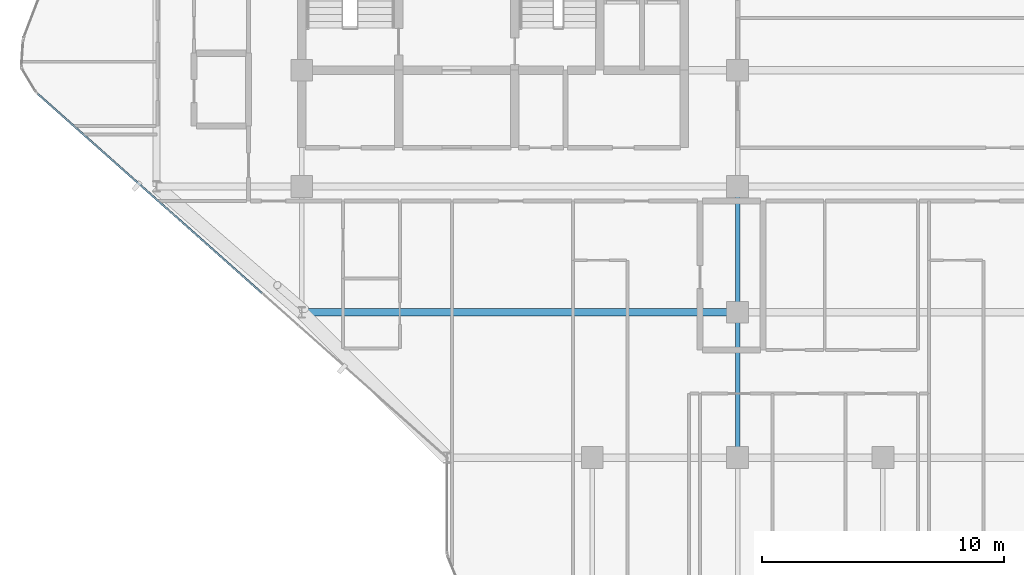
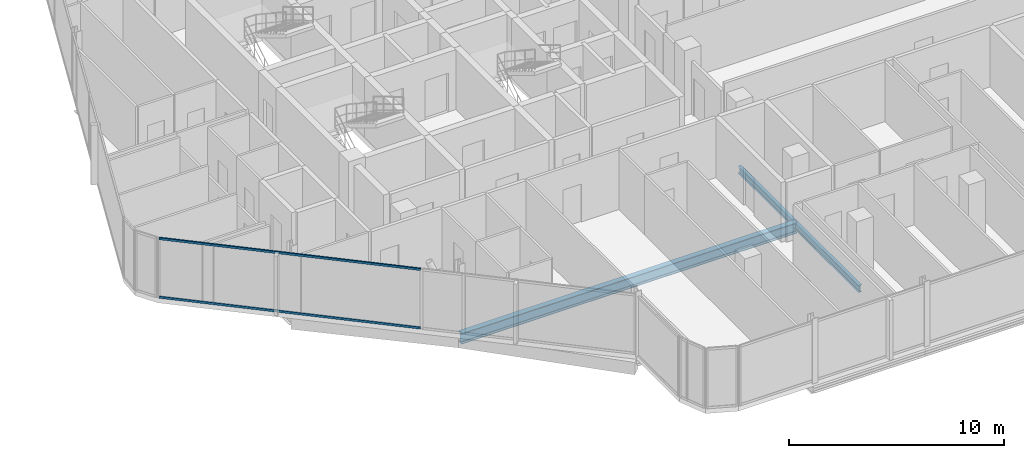
# One storey, part 7 of 29: 3 beams, 2 members, 1 element without a shape of its own.
"""IFC4 building model written with IfcOpenShell, lengths in metres."""

from ifc_helpers import new_model, si_unit, direction, frame, origin, origin_2d, place, context, subcontext, project, spatial, hollow_rectangle, i_section, extrude, material, layer, layer_set, material_profile, profile_set, type_object, element, aggregate, save


model = new_model("IFC4")

# Units and contexts
model_context = context("Model", 3, precision=1e-05, world=origin(), true_north=direction((0.0, 1.0)))
body_context = subcontext(model_context, "Body", "Model", "MODEL_VIEW")
ifc_project = project(units=[si_unit("LENGTHUNIT", "METRE"), si_unit("AREAUNIT", "SQUARE_METRE"), si_unit("VOLUMEUNIT", "CUBIC_METRE"), si_unit("PLANEANGLEUNIT", "RADIAN"), si_unit("MASSUNIT", "GRAM", prefix="KILO")], contexts=[model_context])

# Site, building, storey
site_placement = place(None, origin())
site = spatial("IfcSite", under=ifc_project, at=site_placement, CompositionType="ELEMENT")
building_placement = place(site_placement, origin())
building = spatial("IfcBuilding", under=site, at=building_placement, Name="Keshet Zoharim Tower", CompositionType="ELEMENT")
storey_placement = place(building_placement, frame((0.0, 0.0, 188.39990234375)))
storey = spatial("IfcBuildingStorey", under=building, at=storey_placement, Name="L46", CompositionType="ELEMENT", Elevation=188.39990234375)

# Beams
ifc_material_1 = material(Name="Steel S355", Category="steel")
ifc_material_profile_1 = material_profile(ifc_material_1, i_section(OverallWidth=0.300048828125, OverallDepth=0.60009765625, WebThickness=0.015380859375, FlangeThickness=0.030029296875, FilletRadius=0.027099609375, at=origin_2d()), Name="HEB600")
ifc_profile_set_1 = profile_set([ifc_material_profile_1], Name="Steel S355")
beam_type_1 = type_object("IfcBeamType", Name="BM-LNG-HB600", PredefinedType="BEAM", material=ifc_profile_set_1)
beam_1_placement = place(storey_placement, frame((15.0, 12.699951171875, -0.60986328125), z_axis=(1.0, 0.0, 0.0), x_axis=(0.0, 1.0, 0.0)))
element("IfcBeam", 1, at=beam_1_placement, inside=storey, type_object=beam_type_1, Name="L46 Primary Girder X-009", PredefinedType="BEAM", context=body_context, shape_type="SweptSolid", body=[
    extrude(i_section(OverallWidth=0.300048828125, OverallDepth=0.60009765625, WebThickness=0.015380859375, FlangeThickness=0.030029296875, FilletRadius=0.027099609375, at=origin_2d()), origin(), (0.0, 0.0, 1.0), 18.0),
])
ifc_material_profile_2 = material_profile(ifc_material_1, i_section(OverallWidth=0.179931640625, OverallDepth=0.39990234375, WebThickness=0.008544921875, FlangeThickness=0.013427734375, FilletRadius=0.02099609375, at=origin_2d()), Name="IPE400")
ifc_profile_set_2 = profile_set([ifc_material_profile_2], Name="Steel S355")
beam_type_2 = type_object("IfcBeamType", Name="BM-PRI-IP400", PredefinedType="BEAM", material=ifc_profile_set_2)
beam_2_placement = place(storey_placement, frame((33.0, 6.699951171875, -0.510009765625), z_axis=(0.0, 1.0, 0.0), x_axis=(-1.0, 0.0, 0.0)))
element("IfcBeam", 2, at=beam_2_placement, inside=storey, type_object=beam_type_2, Name="L46 Primary Girder Y-006", PredefinedType="BEAM", context=body_context, shape_type="SweptSolid", body=[
    extrude(i_section(OverallWidth=0.179931640625, OverallDepth=0.39990234375, WebThickness=0.008544921875, FlangeThickness=0.013427734375, FilletRadius=0.02099609375, at=origin_2d()), origin(), (0.0, 0.0, 1.0), 6.0),
])
beam_3_placement = place(storey_placement, frame((33.0, 12.699951171875, -0.510009765625), z_axis=(0.0, 1.0, 0.0), x_axis=(-1.0, 0.0, 0.0)))
element("IfcBeam", 3, at=beam_3_placement, inside=storey, type_object=beam_type_2, Name="L46 Primary Girder Y-007", PredefinedType="BEAM", context=body_context, shape_type="SweptSolid", body=[
    extrude(i_section(OverallWidth=0.179931640625, OverallDepth=0.39990234375, WebThickness=0.008544921875, FlangeThickness=0.013427734375, FilletRadius=0.02099609375, at=origin_2d()), origin(), (0.0, 0.0, 1.0), 5.199951171875),
])

# Curtain wall, members
ifc_material_2 = material(Name="Aluminium 6063-T6", Category="aluminium")
ifc_layer = layer(ifc_material_2, 0.139892578125)
ifc_layer_set = layer_set([ifc_layer], Name="Aluminium 6063-T6")
curtain_wall_type = type_object("IfcCurtainWallType", Name="CW-SYS-05", PredefinedType="NOTDEFINED", material=ifc_layer_set)
curtain_wall_placement = place(storey_placement, origin())
curtain_wall = element("IfcCurtainWall", 4, at=curtain_wall_placement, inside=storey, type_object=curtain_wall_type, Name="L46 Unitised Curtain Wall 10 Part 3", PredefinedType="NOTDEFINED")
ifc_material_profile_3 = material_profile(ifc_material_2, hollow_rectangle(XDim=0.074951171875, YDim=0.1201171875, WallThickness=0.00390625, at=origin_2d()), Name="TRN-75x120")
ifc_profile_set_3 = profile_set([ifc_material_profile_3], Name="Aluminium 6063-T6")
member_type = type_object("IfcMemberType", Name="CWT-T12", PredefinedType="USERDEFINED", material=ifc_profile_set_3)
member_1_placement = place(storey_placement, frame((13.3623046875, 13.489013671875, 0.03515625), z_axis=(-0.747408233231, 0.664365059962, 0.0), x_axis=(-0.664365059962, -0.747408233231, 0.0)))
member_1 = element("IfcMember", 5, at=member_1_placement, type_object=member_type, Name="CW-05 transom 1.1", ObjectType="TRANSOM", PredefinedType="USERDEFINED", context=body_context, shape_type="SweptSolid", body=[
    extrude(hollow_rectangle(XDim=0.074951171875, YDim=0.1201171875, WallThickness=0.00390625, at=origin_2d()), origin(), (0.0, 0.0, 1.0), 12.409423828125),
])
member_2_placement = place(storey_placement, frame((13.3623046875, 13.489013671875, 3.35498046875), z_axis=(-0.747408233231, 0.664365059962, 0.0), x_axis=(-0.664365059962, -0.747408233231, 0.0)))
member_2 = element("IfcMember", 6, at=member_2_placement, type_object=member_type, Name="CW-05 transom 1.2", ObjectType="TRANSOM", PredefinedType="USERDEFINED", context=body_context, shape_type="SweptSolid", body=[
    extrude(hollow_rectangle(XDim=0.074951171875, YDim=0.1201171875, WallThickness=0.00390625, at=origin_2d()), origin(), (0.0, 0.0, 1.0), 12.409423828125),
])
aggregate(curtain_wall, [member_1, member_2])

save(model, "model.ifc")
